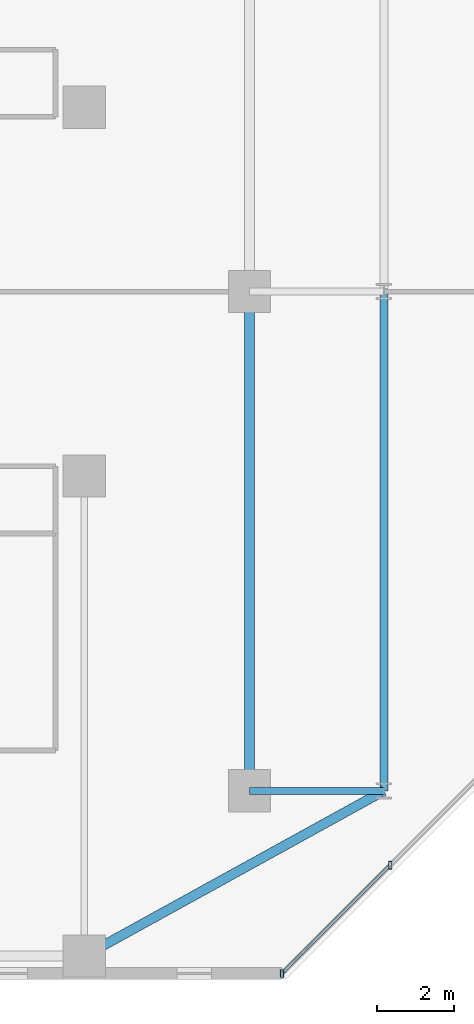
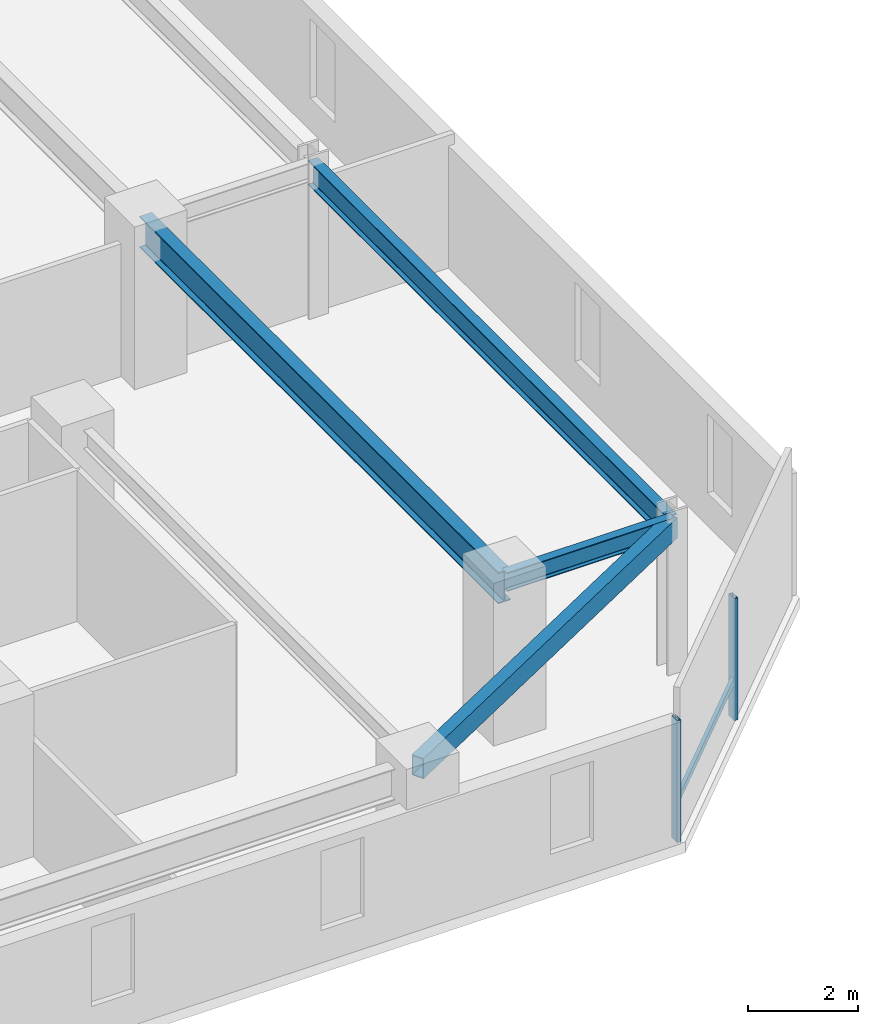
# One storey, part 5 of 32: 4 beams, 3 members, 1 element without a shape of its own.
"""IFC4 building model written with IfcOpenShell, lengths in metres."""

from ifc_helpers import new_model, si_unit, direction, frame, origin, origin_2d, place, context, subcontext, project, spatial, hollow_rectangle, i_section, extrude, material, material_profile, profile_set, type_object, element, aggregate, save


model = new_model("IFC4")

# Units and contexts
model_context = context("Model", 3, precision=1e-05, world=origin(), true_north=direction((0.0, 1.0)))
body_context = subcontext(model_context, "Body", "Model", "MODEL_VIEW")
ifc_project = project(units=[si_unit("LENGTHUNIT", "METRE"), si_unit("AREAUNIT", "SQUARE_METRE"), si_unit("VOLUMEUNIT", "CUBIC_METRE"), si_unit("PLANEANGLEUNIT", "RADIAN"), si_unit("MASSUNIT", "GRAM", prefix="KILO")], contexts=[model_context])

# Site, building, storey
site_placement = place(None, origin())
site = spatial("IfcSite", under=ifc_project, at=site_placement, CompositionType="ELEMENT")
building_placement = place(site_placement, origin())
building = spatial("IfcBuilding", under=site, at=building_placement, Name="Thornwick Lancets Civic Towers", CompositionType="ELEMENT")
storey_placement = place(building_placement, frame((0.0, 0.0, 182.10009765625)))
storey = spatial("IfcBuildingStorey", under=building, at=storey_placement, Name="L48", CompositionType="ELEMENT", Elevation=182.10009765625)

# Beams
ifc_material_1 = material(Name="Steel S355JR", Category="steel")
ifc_material_profile_1 = material_profile(ifc_material_1, i_section(OverallWidth=0.210693359375, OverallDepth=0.53955078125, WebThickness=0.01171875, FlangeThickness=0.018798828125, FilletRadius=0.0126953125, at=origin_2d()), Name="UKB 533x210x109")
ifc_profile_set_1 = profile_set([ifc_material_profile_1], Name="Steel S355JR")
beam_type_1 = type_object("IfcBeamType", Name="BM_EDGE_533_109", PredefinedType="SPANDREL", material=ifc_profile_set_1)
beam_1_placement = place(storey_placement, frame((46.300048828125, 14.0, 3.090087890625), z_axis=(0.0, 1.0, 0.0), x_axis=(-1.0, 0.0, 0.0)))
element("IfcBeam", 1, at=beam_1_placement, inside=storey, type_object=beam_type_1, Name="BM-EDGE-L48-A-S1-1", PredefinedType="SPANDREL", context=body_context, shape_type="SweptSolid", body=[
    extrude(i_section(OverallWidth=0.210693359375, OverallDepth=0.53955078125, WebThickness=0.01171875, FlangeThickness=0.018798828125, FilletRadius=0.0126953125, at=origin_2d()), origin(), (0.0, 0.0, 1.0), 13.0),
])
ifc_material_profile_2 = material_profile(ifc_material_1, i_section(OverallWidth=0.255859375, OverallDepth=0.69287109375, WebThickness=0.014404296875, FlangeThickness=0.023681640625, FilletRadius=0.01513671875, at=origin_2d()), Name="UKB 686x254x170")
ifc_profile_set_2 = profile_set([ifc_material_profile_2], Name="Steel S355JR")
beam_type_2 = type_object("IfcBeamType", Name="BM_GIRD_686_170", PredefinedType="BEAM", material=ifc_profile_set_2)
beam_2_placement = place(storey_placement, frame((42.800048828125, 14.0, 3.013427734375), z_axis=(0.0, 1.0, 0.0), x_axis=(-1.0, 0.0, 0.0)))
element("IfcBeam", 2, at=beam_2_placement, inside=storey, type_object=beam_type_2, Name="BM-SPINE-L48-A-3-4", PredefinedType="BEAM", context=body_context, shape_type="SweptSolid", body=[
    extrude(i_section(OverallWidth=0.255859375, OverallDepth=0.69287109375, WebThickness=0.014404296875, FlangeThickness=0.023681640625, FilletRadius=0.01513671875, at=origin_2d()), origin(), (0.0, 0.0, 1.0), 13.0),
])
ifc_material_profile_3 = material_profile(ifc_material_1, i_section(OverallWidth=0.179443359375, OverallDepth=0.412841796875, WebThickness=0.009521484375, FlangeThickness=0.01611328125, FilletRadius=0.01025390625, at=origin_2d()), Name="UKB 406x178x74")
ifc_profile_set_3 = profile_set([ifc_material_profile_3], Name="Steel S355JR")
beam_type_3 = type_object("IfcBeamType", Name="BM_JOIST_406_74", PredefinedType="JOIST", material=ifc_profile_set_3)
beam_3_placement = place(storey_placement, frame((42.800048828125, 14.0, 3.153564453125), z_axis=(1.0, 0.0, 0.0), x_axis=(0.0, 1.0, 0.0)))
element("IfcBeam", 3, at=beam_3_placement, inside=storey, type_object=beam_type_3, Name="BM-RAD-L48-A04", PredefinedType="JOIST", context=body_context, shape_type="SweptSolid", body=[
    extrude(i_section(OverallWidth=0.179443359375, OverallDepth=0.412841796875, WebThickness=0.009521484375, FlangeThickness=0.01611328125, FilletRadius=0.01025390625, at=origin_2d()), origin(), (0.0, 0.0, 1.0), 3.5),
])
ifc_material_profile_4 = material_profile(ifc_material_1, hollow_rectangle(XDim=0.25, YDim=0.449951171875, WallThickness=0.01611328125, at=origin_2d()), Name="RHS 450x250x16")
ifc_profile_set_4 = profile_set([ifc_material_profile_4], Name="Steel S355JR")
beam_type_4 = type_object("IfcBeamType", Name="BM_RING_RHS450", PredefinedType="BEAM", material=ifc_profile_set_4)
beam_4_placement = place(storey_placement, frame((38.5, 9.699951171875, 3.135009765625), z_axis=(0.875740348708, 0.482782395749, 0.0), x_axis=(-0.482782395749, 0.875740348708, 0.0)))
element("IfcBeam", 4, at=beam_4_placement, inside=storey, type_object=beam_type_4, Name="BM-CHAMF-L48-A-C0", PredefinedType="BEAM", context=body_context, shape_type="SweptSolid", body=[
    extrude(hollow_rectangle(XDim=0.25, YDim=0.449951171875, WallThickness=0.01611328125, at=origin_2d()), origin(), (0.0, 0.0, 1.0), 8.90673828125),
])

# Curtain wall, members
ifc_material_2 = material(Name="Mid-zone chamfered-corner unitised glass curtain wall", Category="glass")
curtain_wall_type = type_object("IfcCurtainWallType", Name="CW_SYS_04", PredefinedType="NOTDEFINED", material=ifc_material_2)
curtain_wall_placement = place(storey_placement, origin())
curtain_wall = element("IfcCurtainWall", 5, at=curtain_wall_placement, inside=storey, type_object=curtain_wall_type, Name="L48 Curtain Wall CW-L48-A-E1", PredefinedType="NOTDEFINED")
ifc_material_3 = material(Name="Thermally broken bronze aluminium S355", Category="steel")
ifc_material_profile_5 = material_profile(ifc_material_3, hollow_rectangle(XDim=0.080078125, YDim=0.199951171875, WallThickness=0.006103515625, at=origin_2d()), Name="RHS 200x80x6")
ifc_profile_set_5 = profile_set([ifc_material_profile_5], Name="Thermally broken bronze aluminium S355")
member_type_1 = type_object("IfcMemberType", Name="CW_MUL_200", PredefinedType="MULLION", material=ifc_profile_set_5)
member_1_placement = place(storey_placement, frame((43.64794921875, 9.245361328125, 0.0), z_axis=(0.0, 0.0, 1.0), x_axis=(1.0, 0.0, 0.0)))
member_1 = element("IfcMember", 6, at=member_1_placement, type_object=member_type_1, Name="CW-L48-A-E1 Mullion 0", PredefinedType="MULLION", context=body_context, shape_type="SweptSolid", body=[
    extrude(hollow_rectangle(XDim=0.080078125, YDim=0.199951171875, WallThickness=0.006103515625, at=origin_2d()), origin(), (0.0, 0.0, 1.0), 2.699951171875),
])
member_2_placement = place(storey_placement, frame((46.46728515625, 12.06494140625, 0.0), z_axis=(0.0, 0.0, 1.0), x_axis=(1.0, 0.0, 0.0)))
member_2 = element("IfcMember", 7, at=member_2_placement, type_object=member_type_1, Name="CW-L48-A-E1 Mullion 1", PredefinedType="MULLION", context=body_context, shape_type="SweptSolid", body=[
    extrude(hollow_rectangle(XDim=0.080078125, YDim=0.199951171875, WallThickness=0.006103515625, at=origin_2d()), origin(), (0.0, 0.0, 1.0), 2.699951171875),
])
ifc_material_profile_6 = material_profile(ifc_material_3, hollow_rectangle(XDim=0.074951171875, YDim=0.14990234375, WallThickness=0.0048828125, at=origin_2d()), Name="RHS 150x75x5")
ifc_profile_set_6 = profile_set([ifc_material_profile_6], Name="Thermally broken bronze aluminium S355")
member_type_2 = type_object("IfcMemberType", Name="CW_TRN_150", PredefinedType="USERDEFINED", material=ifc_profile_set_6)
member_3_placement = place(storey_placement, frame((43.662109375, 9.259521484375, 0.849853515625), z_axis=(0.707075855219, 0.707137705801, 0.0), x_axis=(-0.707137705801, 0.707075855219, 0.0)))
member_3 = element("IfcMember", 8, at=member_3_placement, type_object=member_type_2, Name="CW-L48-A-E1 Transom 0", ObjectType="TRANSOM", PredefinedType="USERDEFINED", context=body_context, shape_type="SweptSolid", body=[
    extrude(hollow_rectangle(XDim=0.074951171875, YDim=0.14990234375, WallThickness=0.0048828125, at=origin_2d()), origin(), (0.0, 0.0, 1.0), 3.947265625),
])
aggregate(curtain_wall, [member_1, member_2, member_3])

save(model, "model.ifc")
